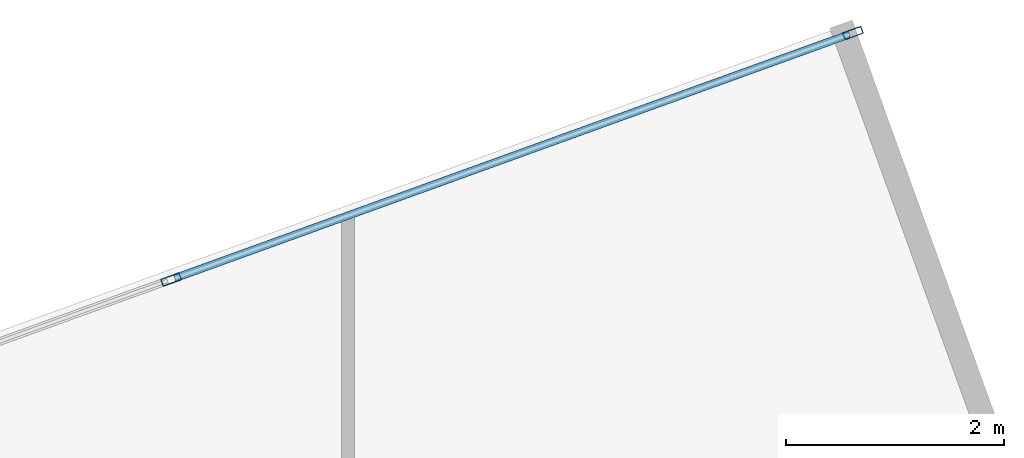
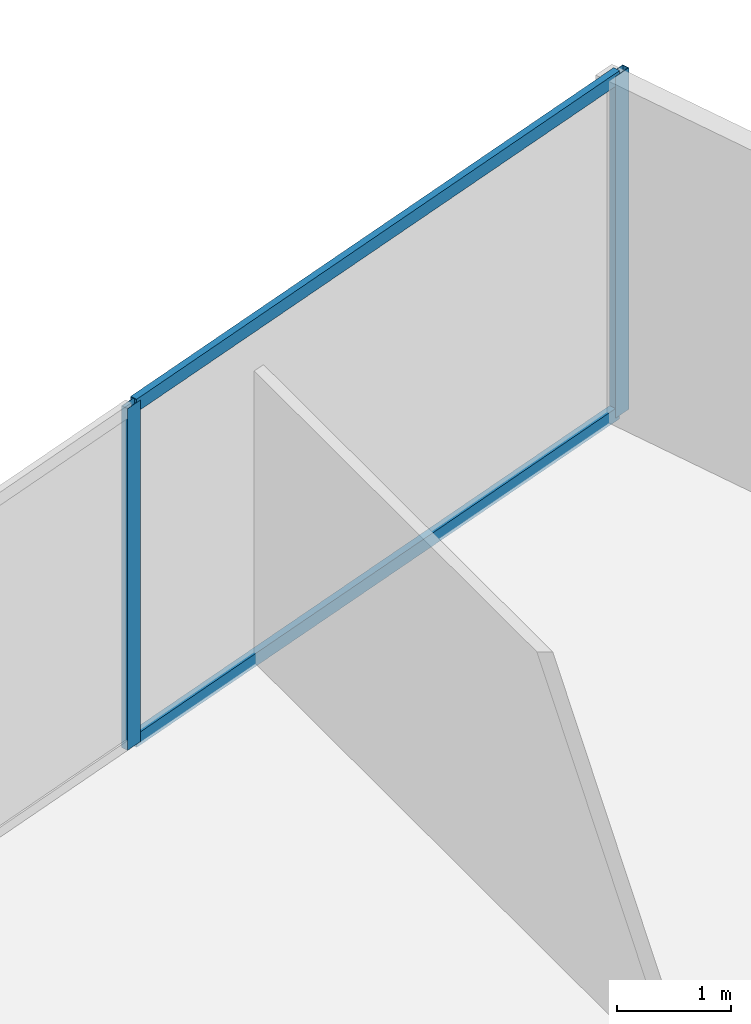
# One storey, part 15 of 21: 4 members, 1 element without a shape of its own.
"""IFC4 building model written with IfcOpenShell, lengths in metres."""

from ifc_helpers import new_model, si_unit, direction, frame, origin, origin_2d, place, context, subcontext, project, spatial, hollow_rectangle, extrude, source, transform, mapped, material, material_profile, profile_set, type_object, type_shapes, element, aggregate, save


model = new_model("IFC4")

# Units and contexts
model_context = context("Model", 3, precision=1e-05, world=origin(), true_north=direction((0.0, 1.0)))
body_context = subcontext(model_context, "Body", "Model", "MODEL_VIEW")
ifc_project = project(units=[si_unit("LENGTHUNIT", "METRE"), si_unit("AREAUNIT", "SQUARE_METRE"), si_unit("VOLUMEUNIT", "CUBIC_METRE"), si_unit("PLANEANGLEUNIT", "RADIAN"), si_unit("MASSUNIT", "GRAM", prefix="KILO")], contexts=[model_context])

# Site, building, storey
site_placement = place(None, origin())
site = spatial("IfcSite", under=ifc_project, at=site_placement, CompositionType="ELEMENT")
building_placement = place(site_placement, origin())
building = spatial("IfcBuilding", under=site, at=building_placement, Name="Krantzveldt Concourse Tower", CompositionType="ELEMENT")
storey_placement = place(building_placement, frame((0.0, 0.0, 335.60009765625)))
storey = spatial("IfcBuildingStorey", under=building, at=storey_placement, Name="L82", CompositionType="ELEMENT", Elevation=335.60009765625)

# Curtain wall, members
ifc_material = material(Name="Anodised aluminium 6063-T6", Category="aluminium")
curtain_wall_type = type_object("IfcCurtainWallType", Name="CW4", PredefinedType="USERDEFINED", material=ifc_material)
curtain_wall_placement = place(storey_placement, origin())
curtain_wall = element("IfcCurtainWall", 1, at=curtain_wall_placement, inside=storey, type_object=curtain_wall_type, Name="CW-L82-F01", ObjectType="UNITISED CURTAIN WALL", PredefinedType="USERDEFINED")
ifc_material_profile_1 = material_profile(ifc_material, hollow_rectangle(XDim=0.070068359375, YDim=0.179931640625, WallThickness=0.0048828125, at=origin_2d()), Name="Anodised aluminium 6063-T6", Category="aluminium")
ifc_profile_set_1 = profile_set([ifc_material_profile_1], Name="Anodised aluminium 6063-T6 - ALU-MULL 180x70x5")
member_type_1 = type_object("IfcMemberType", Name="CW-MUL-180", PredefinedType="MULLION", material=ifc_profile_set_1)
shared_shape_1 = source(origin(), body_context, "Body", "SweptSolid", [
    extrude(hollow_rectangle(XDim=0.070068359375, YDim=0.179931640625, WallThickness=0.0048828125, at=origin_2d()), origin(), (0.0, 0.0, 1.0), 3.669921875),
])
type_shapes(member_type_1, [shared_shape_1])
member_1_placement = place(storey_placement, frame((42.14013671875, 49.02734375, 0.0), z_axis=(0.0, 0.0, 1.0), x_axis=(0.339969050563, -0.940436624478, 0.0)))
member_1 = element("IfcMember", 2, at=member_1_placement, type_object=member_type_1, Name="CW-Z56 mullion 1", PredefinedType="MULLION", context=body_context, shape_type="MappedRepresentation", body=[
    mapped(shared_shape_1, transform((0.0, 0.0, 0.0), x_axis=(1.0, 0.0, 0.0), y_axis=(0.0, 1.0, 0.0), z_axis=(0.0, 0.0, 1.0), scale=1.0)),
])
member_2_placement = place(storey_placement, frame((35.8720703125, 46.761474609375, 0.0), z_axis=(0.0, 0.0, 1.0), x_axis=(0.339969050563, -0.940436624478, 0.0)))
member_2 = element("IfcMember", 3, at=member_2_placement, type_object=member_type_1, Name="CW-Z56 mullion 2", PredefinedType="MULLION", context=body_context, shape_type="MappedRepresentation", body=[
    mapped(shared_shape_1, transform((0.0, 0.0, 0.0), x_axis=(1.0, 0.0, 0.0), y_axis=(0.0, 1.0, 0.0), z_axis=(0.0, 0.0, 1.0), scale=1.0)),
])
ifc_material_profile_2 = material_profile(ifc_material, hollow_rectangle(XDim=0.070068359375, YDim=0.139892578125, WallThickness=0.0048828125, at=origin_2d()), Name="Anodised aluminium 6063-T6", Category="aluminium")
ifc_profile_set_2 = profile_set([ifc_material_profile_2], Name="Anodised aluminium 6063-T6 - ALU-TRAN 140x70x5")
member_type_2 = type_object("IfcMemberType", Name="CW-TRN-150", PredefinedType="USERDEFINED", material=ifc_profile_set_2)
shared_shape_2 = source(origin(), body_context, "Body", "SweptSolid", [
    extrude(hollow_rectangle(XDim=0.070068359375, YDim=0.139892578125, WallThickness=0.0048828125, at=origin_2d()), origin(), (0.0, 0.0, 1.0), 6.594970703125),
])
type_shapes(member_type_2, [shared_shape_2])
member_3_placement = place(storey_placement, frame((42.107177734375, 49.015380859375, 0.034912109375), z_axis=(-0.940443473785, -0.339950103124, 0.0), x_axis=(0.339950103124, -0.940443473785, 0.0)))
member_3 = element("IfcMember", 4, at=member_3_placement, type_object=member_type_2, Name="CW-Z56 transom 1.1", ObjectType="TRANSOM", PredefinedType="USERDEFINED", context=body_context, shape_type="MappedRepresentation", body=[
    mapped(shared_shape_2, transform((0.0, 0.0, 0.0), x_axis=(1.0, 0.0, 0.0), y_axis=(0.0, 1.0, 0.0), z_axis=(0.0, 0.0, 1.0), scale=1.0)),
])
member_4_placement = place(storey_placement, frame((42.107177734375, 49.015380859375, 3.635009765625), z_axis=(-0.940443473785, -0.339950103124, 0.0), x_axis=(0.339950103124, -0.940443473785, 0.0)))
member_4 = element("IfcMember", 5, at=member_4_placement, type_object=member_type_2, Name="CW-Z56 transom 1.2", ObjectType="TRANSOM", PredefinedType="USERDEFINED", context=body_context, shape_type="MappedRepresentation", body=[
    mapped(shared_shape_2, transform((0.0, 0.0, 0.0), x_axis=(1.0, 0.0, 0.0), y_axis=(0.0, 1.0, 0.0), z_axis=(0.0, 0.0, 1.0), scale=1.0)),
])
aggregate(curtain_wall, [member_1, member_2, member_3, member_4])

save(model, "model.ifc")
